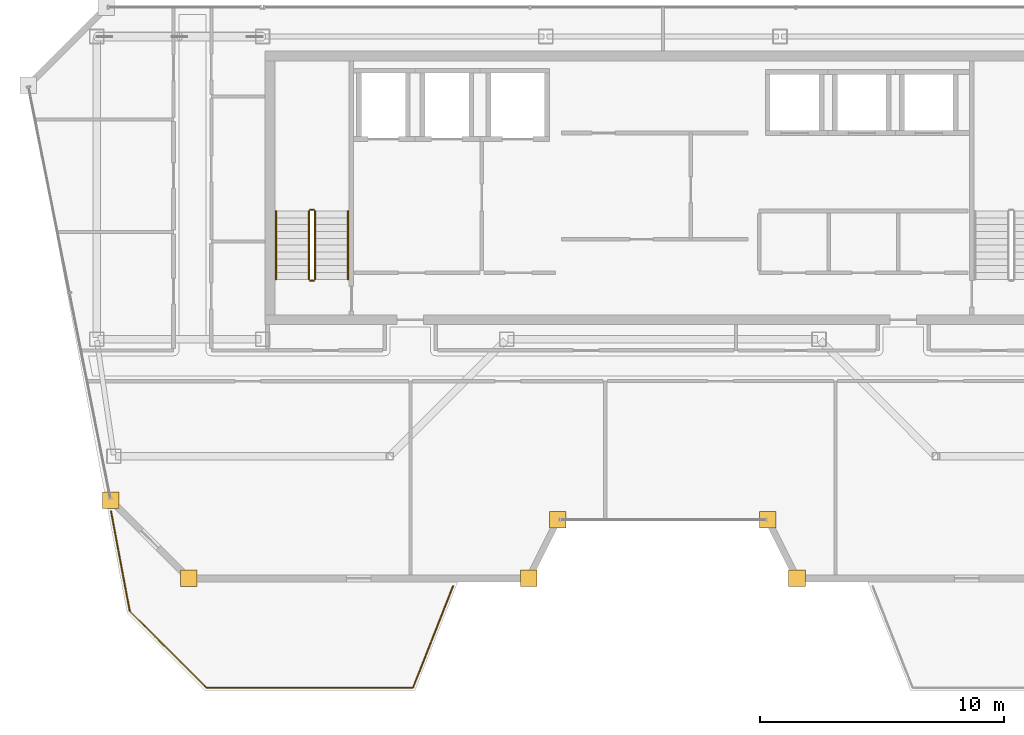
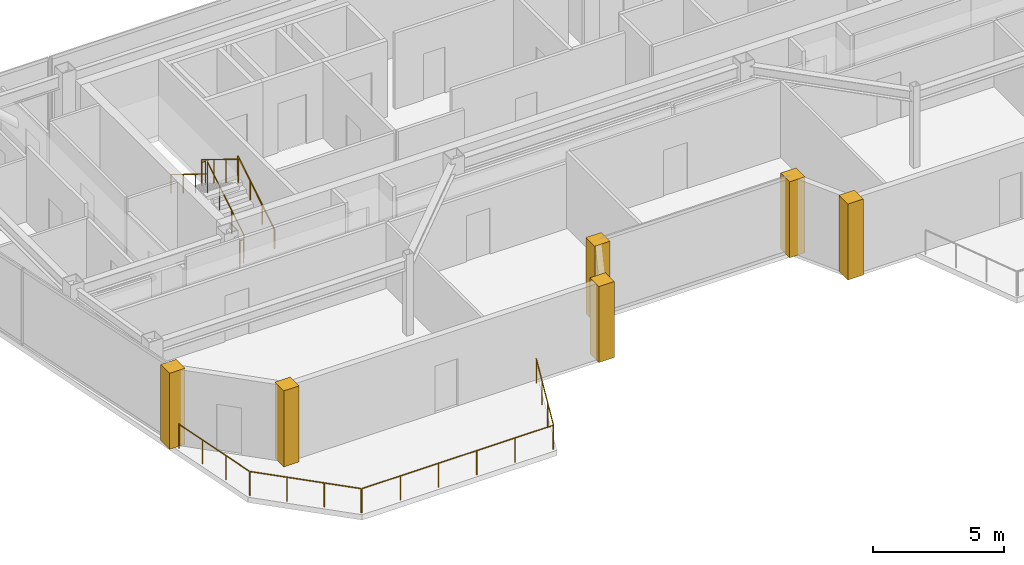
# One storey, part 18 of 20: 10 railings, 6 coverings.
"""IFC4 building model written with IfcOpenShell, lengths in metres."""

from ifc_helpers import new_model, si_unit, direction, frame, origin, origin_2d, place, context, subcontext, project, spatial, polyline, circle, outline, extrude, material, layer, layer_set, type_object, element, save


model = new_model("IFC4")

# Units and contexts
model_context = context("Model", 3, precision=1e-05, world=origin(), true_north=direction((0.0, 1.0)))
body_context = subcontext(model_context, "Body", "Model", "MODEL_VIEW")
ifc_project = project(units=[si_unit("LENGTHUNIT", "METRE"), si_unit("AREAUNIT", "SQUARE_METRE"), si_unit("VOLUMEUNIT", "CUBIC_METRE"), si_unit("PLANEANGLEUNIT", "RADIAN"), si_unit("MASSUNIT", "GRAM", prefix="KILO")], contexts=[model_context])

# Site, building, storey
site_placement = place(None, origin())
site = spatial("IfcSite", under=ifc_project, at=site_placement, CompositionType="ELEMENT")
building_placement = place(site_placement, origin())
building = spatial("IfcBuilding", under=site, at=building_placement, Name="Saevonmaru Cultural Tower", CompositionType="ELEMENT")
storey_placement = place(building_placement, frame((0.0, 0.0, 295.199951171875)))
storey = spatial("IfcBuildingStorey", under=building, at=storey_placement, Name="L70", CompositionType="ELEMENT", Elevation=295.199951171875)

# Coverings
ifc_material_1 = material(Name="Satin Bronze Anodised Aluminium", Category="aluminium")
ifc_layer = layer(ifc_material_1, 0.679931640625, Name="Satin Bronze Anodised Aluminium")
ifc_layer_set = layer_set([ifc_layer], Name="Satin Bronze Anodised Aluminium")
covering_type = type_object("IfcCoveringType", Name="CV-CORNER-CLAD", PredefinedType="CLADDING", material=ifc_layer_set)
covering_1_placement = place(storey_placement, origin())
element("IfcCovering", 1, at=covering_1_placement, inside=storey, type_object=covering_type, Name="L70 Tower Bronze Corner Cladding Pier 1", PredefinedType="CLADDING", context=body_context, shape_type="SweptSolid", body=[
    extrude(outline(polyline([(7.0400390625, 35.4599609375), (7.719970703125, 35.4599609375), (7.719970703125, 36.139892578125), (7.0400390625, 36.139892578125), (7.0400390625, 35.4599609375)])), origin(), (0.0, 0.0, 1.0), 3.550048828125),
])
covering_2_placement = place(storey_placement, origin())
element("IfcCovering", 2, at=covering_2_placement, inside=storey, type_object=covering_type, Name="L70 Tower Bronze Corner Cladding Pier 2", PredefinedType="CLADDING", context=body_context, shape_type="SweptSolid", body=[
    extrude(outline(polyline([(10.239990234375, 32.260009765625), (10.919921875, 32.260009765625), (10.919921875, 32.93994140625), (10.239990234375, 32.93994140625), (10.239990234375, 32.260009765625)])), origin(), (0.0, 0.0, 1.0), 3.550048828125),
])
covering_3_placement = place(storey_placement, origin())
element("IfcCovering", 3, at=covering_3_placement, inside=storey, type_object=covering_type, Name="L70 Tower Bronze Corner Cladding Pier 3", PredefinedType="CLADDING", context=body_context, shape_type="SweptSolid", body=[
    extrude(outline(polyline([(24.159912109375, 32.260009765625), (24.840087890625, 32.260009765625), (24.840087890625, 32.93994140625), (24.159912109375, 32.93994140625), (24.159912109375, 32.260009765625)])), origin(), (0.0, 0.0, 1.0), 3.550048828125),
])
covering_4_placement = place(storey_placement, origin())
element("IfcCovering", 4, at=covering_4_placement, inside=storey, type_object=covering_type, Name="L70 Tower Bronze Corner Cladding Pier 4", PredefinedType="CLADDING", context=body_context, shape_type="SweptSolid", body=[
    extrude(outline(polyline([(25.360107421875, 34.659912109375), (26.0400390625, 34.659912109375), (26.0400390625, 35.340087890625), (25.360107421875, 35.340087890625), (25.360107421875, 34.659912109375)])), origin(), (0.0, 0.0, 1.0), 3.550048828125),
])
covering_5_placement = place(storey_placement, origin())
element("IfcCovering", 5, at=covering_5_placement, inside=storey, type_object=covering_type, Name="L70 Tower Bronze Corner Cladding Pier 5", PredefinedType="CLADDING", context=body_context, shape_type="SweptSolid", body=[
    extrude(outline(polyline([(33.9599609375, 34.659912109375), (34.639892578125, 34.659912109375), (34.639892578125, 35.340087890625), (33.9599609375, 35.340087890625), (33.9599609375, 34.659912109375)])), origin(), (0.0, 0.0, 1.0), 3.550048828125),
])
covering_6_placement = place(storey_placement, origin())
element("IfcCovering", 6, at=covering_6_placement, inside=storey, type_object=covering_type, Name="L70 Tower Bronze Corner Cladding Pier 6", PredefinedType="CLADDING", context=body_context, shape_type="SweptSolid", body=[
    extrude(outline(polyline([(35.159912109375, 32.260009765625), (35.840087890625, 32.260009765625), (35.840087890625, 32.93994140625), (35.159912109375, 32.93994140625), (35.159912109375, 32.260009765625)])), origin(), (0.0, 0.0, 1.0), 3.550048828125),
])

# Railings
railing_type_1 = type_object("IfcRailingType", Name="RL-BALUSTRADE-1150", PredefinedType="BALUSTRADE", material=ifc_material_1)
railing_1_placement = place(storey_placement, frame((21.40576171875, 32.281494140625, 0.0)))
element("IfcRailing", 7, at=railing_1_placement, inside=storey, type_object=railing_type_1, Name="L70 Setback Terrace Balustrade 1-1", PredefinedType="BALUSTRADE", context=body_context, shape_type="SweptSolid", body=[
    extrude(circle(Radius=0.02392578125, at=origin_2d()), frame((0.0, 0.0, 1.1259765625), z_axis=(-0.367200230933, -0.930141919496, 0.0), x_axis=(0.930141919496, -0.367200230933, 0.0)), (0.0, 0.0, 1.0), 4.453857421875),
    extrude(circle(Radius=0.02099609375, at=origin_2d()), origin(), (0.0, 0.0, 1.0), 1.101806640625),
    extrude(circle(Radius=0.02099609375, at=origin_2d()), frame((-0.545166015625, -1.380859375, 0.0)), (0.0, 0.0, 1.0), 1.101806640625),
    extrude(circle(Radius=0.02099609375, at=origin_2d()), frame((-1.09033203125, -2.761962890625, 0.0)), (0.0, 0.0, 1.0), 1.101806640625),
    extrude(circle(Radius=0.02099609375, at=origin_2d()), frame((-1.635498046875, -4.142822265625, 0.0)), (0.0, 0.0, 1.0), 1.101806640625),
])
railing_2_placement = place(storey_placement, frame((19.742919921875, 28.1201171875, 0.0)))
element("IfcRailing", 8, at=railing_2_placement, inside=storey, type_object=railing_type_1, Name="L70 Setback Terrace Balustrade 1-2", PredefinedType="BALUSTRADE", context=body_context, shape_type="SweptSolid", body=[
    extrude(circle(Radius=0.02392578125, at=origin_2d()), frame((0.0, 0.0, 1.1259765625), z_axis=(-1.0, 0.0, 0.0), x_axis=(0.0, -1.0, 0.0)), (0.0, 0.0, 1.0), 8.428955078125),
    extrude(circle(Radius=0.02099609375, at=origin_2d()), origin(), (0.0, 0.0, 1.0), 1.101806640625),
    extrude(circle(Radius=0.02099609375, at=origin_2d()), frame((-1.685791015625, 0.0, 0.0)), (0.0, 0.0, 1.0), 1.101806640625),
    extrude(circle(Radius=0.02099609375, at=origin_2d()), frame((-3.37158203125, 0.0, 0.0)), (0.0, 0.0, 1.0), 1.101806640625),
    extrude(circle(Radius=0.02099609375, at=origin_2d()), frame((-5.057373046875, 0.0, 0.0)), (0.0, 0.0, 1.0), 1.101806640625),
    extrude(circle(Radius=0.02099609375, at=origin_2d()), frame((-6.7431640625, 0.0, 0.0)), (0.0, 0.0, 1.0), 1.101806640625),
    extrude(circle(Radius=0.02099609375, at=origin_2d()), frame((-8.428955078125, 0.0, 0.0)), (0.0, 0.0, 1.0), 1.101806640625),
])
railing_3_placement = place(storey_placement, frame((11.27978515625, 28.134033203125, 0.0)))
element("IfcRailing", 9, at=railing_3_placement, inside=storey, type_object=railing_type_1, Name="L70 Setback Terrace Balustrade 1-3", PredefinedType="BALUSTRADE", context=body_context, shape_type="SweptSolid", body=[
    extrude(circle(Radius=0.02392578125, at=origin_2d()), frame((0.0, 0.0, 1.1259765625), z_axis=(-0.70696800491, 0.707245530232, 0.0), x_axis=(-0.707245530232, -0.70696800491, 0.0)), (0.0, 0.0, 1.0), 4.3984375),
    extrude(circle(Radius=0.02099609375, at=origin_2d()), origin(), (0.0, 0.0, 1.0), 1.101806640625),
    extrude(circle(Radius=0.02099609375, at=origin_2d()), frame((-1.03662109375, 1.036865234375, 0.0)), (0.0, 0.0, 1.0), 1.101806640625),
    extrude(circle(Radius=0.02099609375, at=origin_2d()), frame((-2.072998046875, 2.073974609375, 0.0)), (0.0, 0.0, 1.0), 1.101806640625),
    extrude(circle(Radius=0.02099609375, at=origin_2d()), frame((-3.109619140625, 3.11083984375, 0.0)), (0.0, 0.0, 1.0), 1.101806640625),
])
railing_4_placement = place(storey_placement, frame((8.15234375, 31.27880859375, 0.0)))
element("IfcRailing", 10, at=railing_4_placement, inside=storey, type_object=railing_type_1, Name="L70 Setback Terrace Balustrade 1-4", PredefinedType="BALUSTRADE", context=body_context, shape_type="SweptSolid", body=[
    extrude(circle(Radius=0.02392578125, at=origin_2d()), frame((0.0, 0.0, 1.1259765625), z_axis=(-0.184121282841, 0.982903531993, 0.0), x_axis=(-0.982903531993, -0.184121282841, 0.0)), (0.0, 0.0, 1.0), 4.142333984375),
    extrude(circle(Radius=0.02099609375, at=origin_2d()), origin(), (0.0, 0.0, 1.0), 1.101806640625),
    extrude(circle(Radius=0.02099609375, at=origin_2d()), frame((-0.254150390625, 1.357177734375, 0.0)), (0.0, 0.0, 1.0), 1.101806640625),
    extrude(circle(Radius=0.02099609375, at=origin_2d()), frame((-0.508544921875, 2.71435546875, 0.0)), (0.0, 0.0, 1.0), 1.101806640625),
    extrude(circle(Radius=0.02099609375, at=origin_2d()), frame((-0.7626953125, 4.071533203125, 0.0)), (0.0, 0.0, 1.0), 1.101806640625),
])
ifc_material_2 = material(Name="Architectural Painted Steel", Category="steel")
railing_type_2 = type_object("IfcRailingType", Name="RL-STAIR-GUARD", PredefinedType="GUARDRAIL", material=ifc_material_2)
railing_5_placement = place(storey_placement, frame((15.75, 44.85009765625, 0.1728515625)))
element("IfcRailing", 11, at=railing_5_placement, inside=storey, type_object=railing_type_2, Name="L70 ST-1 stair guard 1", PredefinedType="GUARDRAIL", context=body_context, shape_type="SweptSolid", body=[
    extrude(circle(Radius=0.02392578125, at=origin_2d()), frame((0.0, 0.0, 1.09619140625), z_axis=(0.0, 0.851069175582, 0.525053576669), x_axis=(-1.0, 0.0, 0.0)), (0.0, 0.0, 1.0), 3.289794921875),
    extrude(circle(Radius=0.02099609375, at=origin_2d()), origin(), (0.0, 0.0, 1.0), 1.072021484375),
    extrude(circle(Radius=0.02099609375, at=origin_2d()), frame((0.0, 0.933349609375, 0.57568359375)), (0.0, 0.0, 1.0), 1.072021484375),
    extrude(circle(Radius=0.02099609375, at=origin_2d()), frame((0.0, 1.866455078125, 1.151611328125)), (0.0, 0.0, 1.0), 1.072021484375),
    extrude(circle(Radius=0.02099609375, at=origin_2d()), frame((0.0, 2.7998046875, 1.727294921875)), (0.0, 0.0, 1.0), 1.072021484375),
])
railing_6_placement = place(storey_placement, frame((15.699951171875, 47.699951171875, 1.900146484375)))
element("IfcRailing", 12, at=railing_6_placement, inside=storey, type_object=railing_type_2, Name="L70 ST-1 stair guard 2", PredefinedType="GUARDRAIL", context=body_context, shape_type="SweptSolid", body=[
    extrude(circle(Radius=0.02392578125, at=origin_2d()), frame((0.0, 0.0, 1.09619140625), z_axis=(-1.0, 0.0, 0.0), x_axis=(0.0, -1.0, 0.0)), (0.0, 0.0, 1.0), 0.14990234375),
    extrude(circle(Radius=0.02099609375, at=origin_2d()), origin(), (0.0, 0.0, 1.0), 1.072021484375),
    extrude(circle(Radius=0.02099609375, at=origin_2d()), frame((-0.14990234375, 0.0, 0.0)), (0.0, 0.0, 1.0), 1.072021484375),
])
railing_7_placement = place(storey_placement, frame((15.5, 47.64990234375, 2.07275390625)))
element("IfcRailing", 13, at=railing_7_placement, inside=storey, type_object=railing_type_2, Name="L70 ST-1 stair guard 3", PredefinedType="GUARDRAIL", context=body_context, shape_type="SweptSolid", body=[
    extrude(circle(Radius=0.02392578125, at=origin_2d()), frame((0.0, 0.0, 1.09619140625), z_axis=(0.0, -0.851069175582, 0.525053576669), x_axis=(1.0, 0.0, 0.0)), (0.0, 0.0, 1.0), 3.289794921875),
    extrude(circle(Radius=0.02099609375, at=origin_2d()), origin(), (0.0, 0.0, 1.0), 1.072021484375),
    extrude(circle(Radius=0.02099609375, at=origin_2d()), frame((0.0, -0.933349609375, 0.57568359375)), (0.0, 0.0, 1.0), 1.072021484375),
    extrude(circle(Radius=0.02099609375, at=origin_2d()), frame((0.0, -1.866455078125, 1.151611328125)), (0.0, 0.0, 1.0), 1.072021484375),
    extrude(circle(Radius=0.02099609375, at=origin_2d()), frame((0.0, -2.7998046875, 1.727294921875)), (0.0, 0.0, 1.0), 1.072021484375),
])
railing_8_placement = place(storey_placement, frame((15.699951171875, 44.800048828125, 0.0)))
element("IfcRailing", 14, at=railing_8_placement, inside=storey, type_object=railing_type_2, Name="L70 ST-1 stair guard 4", PredefinedType="GUARDRAIL", context=body_context, shape_type="SweptSolid", body=[
    extrude(circle(Radius=0.02392578125, at=origin_2d()), frame((0.0, 0.0, 1.09619140625), z_axis=(-1.0, 0.0, 0.0), x_axis=(0.0, -1.0, 0.0)), (0.0, 0.0, 1.0), 0.14990234375),
    extrude(circle(Radius=0.02099609375, at=origin_2d()), origin(), (0.0, 0.0, 1.0), 1.072021484375),
    extrude(circle(Radius=0.02099609375, at=origin_2d()), frame((-0.14990234375, 0.0, 0.0)), (0.0, 0.0, 1.0), 1.072021484375),
])
railing_type_3 = type_object("IfcRailingType", Name="RL-STAIR-HANDRAIL", PredefinedType="HANDRAIL", material=ifc_material_1)
railing_9_placement = place(storey_placement, frame((17.10009765625, 44.85009765625, 0.1728515625)))
element("IfcRailing", 15, at=railing_9_placement, inside=storey, type_object=railing_type_3, Name="L70 ST-1 stair handrail 1", PredefinedType="HANDRAIL", context=body_context, shape_type="SweptSolid", body=[
    extrude(circle(Radius=0.02392578125, at=origin_2d()), frame((0.0, 0.0, 0.8759765625), z_axis=(0.0, 0.851069175582, 0.525053576669), x_axis=(-1.0, 0.0, 0.0)), (0.0, 0.0, 1.0), 3.289794921875),
    extrude(circle(Radius=0.02099609375, at=origin_2d()), origin(), (0.0, 0.0, 1.0), 0.851806640625),
    extrude(circle(Radius=0.02099609375, at=origin_2d()), frame((0.0, 0.933349609375, 0.57568359375)), (0.0, 0.0, 1.0), 0.851806640625),
    extrude(circle(Radius=0.02099609375, at=origin_2d()), frame((0.0, 1.866455078125, 1.151611328125)), (0.0, 0.0, 1.0), 0.851806640625),
    extrude(circle(Radius=0.02099609375, at=origin_2d()), frame((0.0, 2.7998046875, 1.727294921875)), (0.0, 0.0, 1.0), 0.851806640625),
])
railing_10_placement = place(storey_placement, frame((14.14990234375, 47.64990234375, 2.07275390625)))
element("IfcRailing", 16, at=railing_10_placement, inside=storey, type_object=railing_type_3, Name="L70 ST-1 stair handrail 2", PredefinedType="HANDRAIL", context=body_context, shape_type="SweptSolid", body=[
    extrude(circle(Radius=0.02392578125, at=origin_2d()), frame((0.0, 0.0, 0.8759765625), z_axis=(0.0, -0.851069175582, 0.525053576669), x_axis=(1.0, 0.0, 0.0)), (0.0, 0.0, 1.0), 3.289794921875),
    extrude(circle(Radius=0.02099609375, at=origin_2d()), origin(), (0.0, 0.0, 1.0), 0.851806640625),
    extrude(circle(Radius=0.02099609375, at=origin_2d()), frame((0.0, -0.933349609375, 0.57568359375)), (0.0, 0.0, 1.0), 0.851806640625),
    extrude(circle(Radius=0.02099609375, at=origin_2d()), frame((0.0, -1.866455078125, 1.151611328125)), (0.0, 0.0, 1.0), 0.851806640625),
    extrude(circle(Radius=0.02099609375, at=origin_2d()), frame((0.0, -2.7998046875, 1.727294921875)), (0.0, 0.0, 1.0), 0.851806640625),
])

save(model, "model.ifc")
